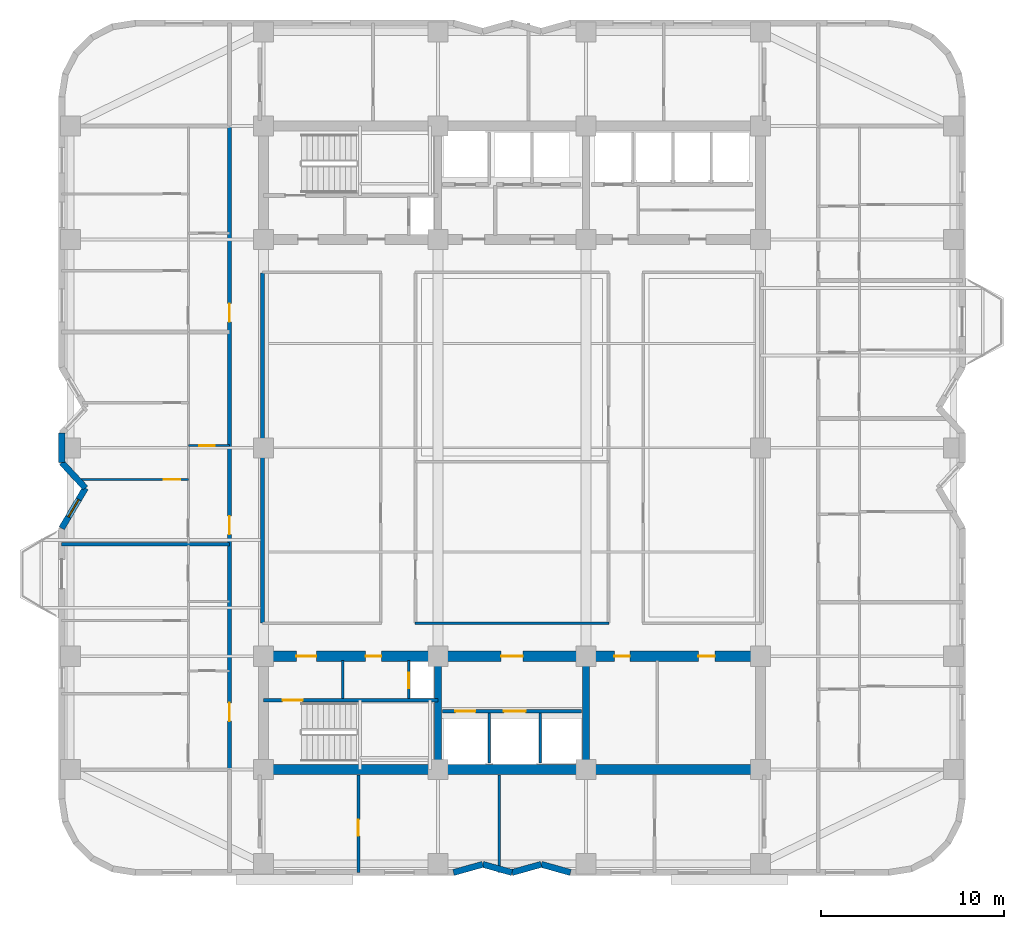
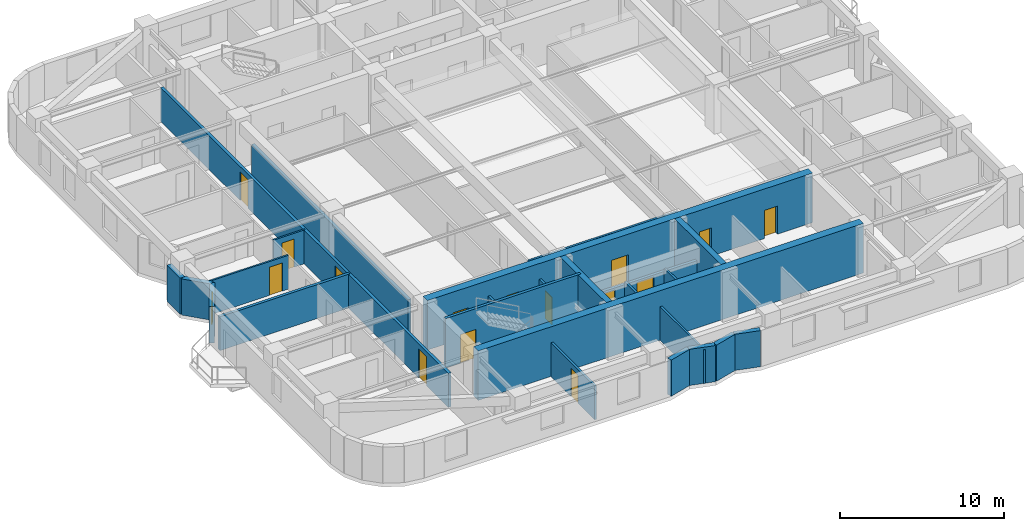
# One storey, part 3 of 11: 25 walls, 15 doors, 1 window, 16 openings.
"""IFC4 building model written with IfcOpenShell, lengths in metres."""

from ifc_helpers import new_model, si_unit, direction, frame, frame_2d, origin, place, context, subcontext, project, spatial, rectangle, extrude, material, layer, layer_set, type_object, element, fill, save


model = new_model("IFC4")

# Units and contexts
model_context = context("Model", 3, precision=1e-05, world=origin(), true_north=direction((0.0, 1.0)))
body_context = subcontext(model_context, "Body", "Model", "MODEL_VIEW")
ifc_project = project(units=[si_unit("LENGTHUNIT", "METRE"), si_unit("AREAUNIT", "SQUARE_METRE"), si_unit("VOLUMEUNIT", "CUBIC_METRE"), si_unit("PLANEANGLEUNIT", "RADIAN"), si_unit("MASSUNIT", "GRAM", prefix="KILO")], contexts=[model_context])

# Site, building, storey
site_placement = place(None, origin())
site = spatial("IfcSite", under=ifc_project, at=site_placement, CompositionType="ELEMENT")
building_placement = place(site_placement, origin())
building = spatial("IfcBuilding", under=site, at=building_placement, Name="Svetorya Sky Lyceum", CompositionType="ELEMENT")
storey_placement = place(building_placement, frame((0.0, 0.0, 106.800048828125)))
storey = spatial("IfcBuildingStorey", under=building, at=storey_placement, Name="L26", CompositionType="ELEMENT", Elevation=106.800048828125)

# Walls
ifc_material_1 = material(Name="Concrete C40/50", Category="concrete")
ifc_layer_1 = layer(ifc_material_1, 0.39990234375)
ifc_layer_set_1 = layer_set([ifc_layer_1], Name="Concrete C40/50")
wall_type_1 = type_object("IfcWallType", Name="WL-CORE-400", PredefinedType="SHEAR", material=ifc_layer_set_1)
for number, where, z_axis, x_axis, name in (
    (1, (35.14990234375, 10.875, 0.0), (0.0, 0.0, 1.0), (0.0, 1.0, 0.0), "L26 SC Internal Shear Web WEB1"),
    (2, (43.25, 10.875, 0.0), (0.0, 0.0, 1.0), (0.0, 1.0, 0.0), "L26 SC Internal Shear Web WEB2"),
):
    element("IfcWall", number, at=place(storey_placement, frame(where, z_axis=z_axis, x_axis=x_axis)), inside=storey, type_object=wall_type_1, Name=name, PredefinedType="SHEAR", context=body_context, shape_type="SweptSolid", body=[
        extrude(rectangle(XDim=5.64990234375, YDim=0.39990234375, at=frame_2d((2.824951171875, 0.0))), origin(), (0.0, 0.0, 1.0), 3.699951171875),
    ])
ifc_material_2 = material(Name="Concrete C60/75", Category="concrete")
ifc_layer_2 = layer(ifc_material_2, 0.550048828125)
ifc_layer_set_2 = layer_set([ifc_layer_2], Name="Concrete C60/75")
wall_type_2 = type_object("IfcWallType", Name="WL-CORE-550", PredefinedType="SHEAR", material=ifc_layer_set_2)
wall_1_placement = place(storey_placement, frame((52.800048828125, 10.60009765625, 0.0), z_axis=(0.0, 0.0, 1.0), x_axis=(-1.0, 0.0, 0.0)))
element("IfcWall", 3, at=wall_1_placement, inside=storey, type_object=wall_type_2, Name="L26 SC Outer Core Shear Wall", PredefinedType="SHEAR", context=body_context, shape_type="SweptSolid", body=[
    extrude(rectangle(XDim=27.199951171875, YDim=0.550048828125, at=frame_2d((13.60009765625, 0.0))), origin(), (0.0, 0.0, 1.0), 3.699951171875),
])

# Wall, openings, doors
wall_2_placement = place(storey_placement, frame((25.60009765625, 16.800048828125, 0.0), z_axis=(0.0, 0.0, 1.0), x_axis=(1.0, 0.0, 0.0)))
wall_2 = element("IfcWall", 4, at=wall_2_placement, inside=storey, type_object=wall_type_2, Name="L26 SC Inner Core Shear Wall", PredefinedType="SHEAR", context=body_context, shape_type="SweptSolid", body=[
    extrude(rectangle(XDim=27.199951171875, YDim=0.550048828125, at=frame_2d((13.60009765625, 0.0))), origin(), (0.0, 0.0, 1.0), 3.699951171875),
])
opening_1_placement = place(wall_2_placement, frame((1.800048828125, 0.0, 0.0)))
opening_1 = element("IfcOpeningElement", 5, at=opening_1_placement, cuts=wall_2, Name="Opening D-ST1", PredefinedType="OPENING", context=body_context, shape_type="SweptSolid", body=[
    extrude(rectangle(XDim=1.10009765625, YDim=2.14990234375, at=frame_2d((0.550048828125, 1.074951171875))), frame((0.0, 0.284912109375, 0.0), z_axis=(0.0, -1.0, 0.0), x_axis=(1.0, 0.0, 0.0)), (0.0, 0.0, 1.0), 0.570068359375),
])
opening_2_placement = place(wall_2_placement, frame((5.60009765625, 0.0, 0.0)))
opening_2 = element("IfcOpeningElement", 6, at=opening_2_placement, cuts=wall_2, Name="Opening D-CWC1", PredefinedType="OPENING", context=body_context, shape_type="SweptSolid", body=[
    extrude(rectangle(XDim=0.85009765625, YDim=2.10009765625, at=frame_2d((0.425048828125, 1.050048828125))), frame((0.0, 0.284912109375, 0.0), z_axis=(0.0, -1.0, 0.0), x_axis=(1.0, 0.0, 0.0)), (0.0, 0.0, 1.0), 0.570068359375),
])
opening_3_placement = place(wall_2_placement, frame((13.0, 0.0, 0.0)))
opening_3 = element("IfcOpeningElement", 7, at=opening_3_placement, cuts=wall_2, Name="Opening D-FL1", PredefinedType="OPENING", context=body_context, shape_type="SweptSolid", body=[
    extrude(rectangle(XDim=1.199951171875, YDim=2.14990234375, at=frame_2d((0.60009765625, 1.074951171875))), frame((0.0, 0.284912109375, 0.0), z_axis=(0.0, -1.0, 0.0), x_axis=(1.0, 0.0, 0.0)), (0.0, 0.0, 1.0), 0.570068359375),
])
opening_4_placement = place(wall_2_placement, frame((19.199951171875, 0.0, 0.0)))
opening_4 = element("IfcOpeningElement", 8, at=opening_4_placement, cuts=wall_2, Name="Opening D-CWC1", PredefinedType="OPENING", context=body_context, shape_type="SweptSolid", body=[
    extrude(rectangle(XDim=0.85009765625, YDim=2.10009765625, at=frame_2d((0.425048828125, 1.050048828125))), frame((0.0, 0.284912109375, 0.0), z_axis=(0.0, -1.0, 0.0), x_axis=(1.0, 0.0, 0.0)), (0.0, 0.0, 1.0), 0.570068359375),
])
opening_5_placement = place(wall_2_placement, frame((23.800048828125, 0.0, 0.0)))
opening_5 = element("IfcOpeningElement", 9, at=opening_5_placement, cuts=wall_2, Name="Opening D-RM1", PredefinedType="OPENING", context=body_context, shape_type="SweptSolid", body=[
    extrude(rectangle(XDim=0.89990234375, YDim=2.10009765625, at=frame_2d((0.449951171875, 1.050048828125))), frame((0.0, 0.284912109375, 0.0), z_axis=(0.0, -1.0, 0.0), x_axis=(1.0, 0.0, 0.0)), (0.0, 0.0, 1.0), 0.570068359375),
])
ifc_material_3 = material(Name="Fire-rated galvanized steel core service closet door", Category="steel")
door_type_1 = type_object("IfcDoorType", Name="DR-CWET-850", OperationType="SINGLE_SWING_LEFT", PredefinedType="DOOR", material=ifc_material_3)
door_1_placement = place(opening_2_placement, origin())
door_1 = element("IfcDoor", 10, at=door_1_placement, inside=storey, type_object=door_type_1, Name="L26 South Hydrant Room Door", OperationType="SINGLE_SWING_LEFT", OverallHeight=2.10009765625, OverallWidth=0.85009765625, PredefinedType="DOOR", context=body_context, shape_type="SweptSolid", body=[
    extrude(rectangle(XDim=0.85009765625, YDim=2.10009765625, at=frame_2d((0.425048828125, 1.050048828125))), frame((0.0, 0.02490234375, 0.0), z_axis=(0.0, -1.0, 0.0), x_axis=(1.0, 0.0, 0.0)), (0.0, 0.0, 1.0), 0.050048828125),
])
fill(opening_2, door_1)
door_2_placement = place(opening_4_placement, origin())
door_2 = element("IfcDoor", 11, at=door_2_placement, inside=storey, type_object=door_type_1, Name="L26 Laundry Door", OperationType="SINGLE_SWING_RIGHT", OverallHeight=2.10009765625, OverallWidth=0.85009765625, PredefinedType="DOOR", context=body_context, shape_type="SweptSolid", body=[
    extrude(rectangle(XDim=0.85009765625, YDim=2.10009765625, at=frame_2d((0.425048828125, 1.050048828125))), frame((0.0, 0.02490234375, 0.0), z_axis=(0.0, -1.0, 0.0), x_axis=(1.0, 0.0, 0.0)), (0.0, 0.0, 1.0), 0.050048828125),
])
fill(opening_4, door_2)
ifc_material_4 = material(Name="Powder-coated insulated galvanized stair fire door")
door_type_2 = type_object("IfcDoorType", Name="DR-FIRE-1100", OperationType="SINGLE_SWING_LEFT", PredefinedType="DOOR", material=ifc_material_4)
door_3_placement = place(opening_1_placement, origin())
door_3 = element("IfcDoor", 12, at=door_3_placement, inside=storey, type_object=door_type_2, Name="L26 South Stair Airlock Door", OperationType="SINGLE_SWING_RIGHT", OverallHeight=2.14990234375, OverallWidth=1.10009765625, PredefinedType="DOOR", context=body_context, shape_type="SweptSolid", body=[
    extrude(rectangle(XDim=1.10009765625, YDim=2.14990234375, at=frame_2d((0.550048828125, 1.074951171875))), frame((0.0, 0.02490234375, 0.0), z_axis=(0.0, -1.0, 0.0), x_axis=(1.0, 0.0, 0.0)), (0.0, 0.0, 1.0), 0.050048828125),
])
fill(opening_1, door_3)
ifc_material_5 = material(Name="Powder-coated insulated galvanized fire door")
door_type_3 = type_object("IfcDoorType", Name="DR-FIRE-1200", OperationType="SINGLE_SWING_LEFT", PredefinedType="DOOR", material=ifc_material_5)
door_4_placement = place(opening_3_placement, origin())
door_4 = element("IfcDoor", 13, at=door_4_placement, inside=storey, type_object=door_type_3, Name="L26 South Firefighting Lift Lobby Door", OperationType="SINGLE_SWING_LEFT", OverallHeight=2.14990234375, OverallWidth=1.199951171875, PredefinedType="DOOR", context=body_context, shape_type="SweptSolid", body=[
    extrude(rectangle(XDim=1.199951171875, YDim=2.14990234375, at=frame_2d((0.60009765625, 1.074951171875))), frame((0.0, 0.02490234375, 0.0), z_axis=(0.0, -1.0, 0.0), x_axis=(1.0, 0.0, 0.0)), (0.0, 0.0, 1.0), 0.050048828125),
])
fill(opening_3, door_4)
ifc_material_6 = material(Name="Lacquered birch veneer internal door")
door_type_4 = type_object("IfcDoorType", Name="DR-INT-900", OperationType="SINGLE_SWING_LEFT", PredefinedType="DOOR", material=ifc_material_6)
door_5_placement = place(opening_5_placement, origin())
door_5 = element("IfcDoor", 14, at=door_5_placement, inside=storey, type_object=door_type_4, Name="L26 Pantry Door", OperationType="SINGLE_SWING_LEFT", OverallHeight=2.10009765625, OverallWidth=0.89990234375, PredefinedType="DOOR", context=body_context, shape_type="SweptSolid", body=[
    extrude(rectangle(XDim=0.89990234375, YDim=2.10009765625, at=frame_2d((0.449951171875, 1.050048828125))), frame((0.0, 0.02490234375, 0.0), z_axis=(0.0, -1.0, 0.0), x_axis=(1.0, 0.0, 0.0)), (0.0, 0.0, 1.0), 0.050048828125),
])
fill(opening_5, door_5)

# Walls
ifc_material_7 = material(Name="Putilovo limestone rainscreen on autoclaved cellular masonry", Category="masonry")
ifc_layer_3 = layer(ifc_material_7, 0.340087890625)
ifc_layer_set_3 = layer_set([ifc_layer_3], Name="Putilovo limestone rainscreen on autoclaved cellular masonry")
wall_type_3 = type_object("IfcWallType", Name="WL-EXT-340", PredefinedType="SOLIDWALL", material=ifc_layer_set_3)
wall_3_placement = place(storey_placement, frame((36.0, 4.969970703125, 0.0), z_axis=(0.0, 0.0, 1.0), x_axis=(0.962662902433, 0.270703040766, 0.0)))
element("IfcWall", 15, at=wall_3_placement, inside=storey, type_object=wall_type_3, Name="L26 Limestone Exterior Wall 7M", PredefinedType="SOLIDWALL", context=body_context, shape_type="SweptSolid", body=[
    extrude(rectangle(XDim=1.662109375, YDim=0.340087890625, at=frame_2d((0.8310546875, 0.0))), origin(), (0.0, 0.0, 1.0), 2.699951171875),
])
wall_4_placement = place(storey_placement, frame((37.60009765625, 5.419921875, 0.0), z_axis=(0.0, 0.0, 1.0), x_axis=(0.962652136636, -0.270741322725, 0.0)))
element("IfcWall", 16, at=wall_4_placement, inside=storey, type_object=wall_type_3, Name="L26 Limestone Exterior Wall 8M", PredefinedType="SOLIDWALL", context=body_context, shape_type="SweptSolid", body=[
    extrude(rectangle(XDim=1.661865234375, YDim=0.340087890625, at=frame_2d((0.8310546875, 0.0))), origin(), (0.0, 0.0, 1.0), 2.699951171875),
])
wall_5_placement = place(storey_placement, frame((39.199951171875, 4.969970703125, 0.0), z_axis=(0.0, 0.0, 1.0), x_axis=(0.962662902433, 0.270703040766, 0.0)))
element("IfcWall", 17, at=wall_5_placement, inside=storey, type_object=wall_type_3, Name="L26 Limestone Exterior Wall 9M", PredefinedType="SOLIDWALL", context=body_context, shape_type="SweptSolid", body=[
    extrude(rectangle(XDim=1.662109375, YDim=0.340087890625, at=frame_2d((0.8310546875, 0.0))), origin(), (0.0, 0.0, 1.0), 2.699951171875),
])
wall_6_placement = place(storey_placement, frame((40.800048828125, 5.419921875, 0.0), z_axis=(0.0, 0.0, 1.0), x_axis=(0.962652136636, -0.270741322725, 0.0)))
element("IfcWall", 18, at=wall_6_placement, inside=storey, type_object=wall_type_3, Name="L26 Limestone Exterior Wall 10M", PredefinedType="SOLIDWALL", context=body_context, shape_type="SweptSolid", body=[
    extrude(rectangle(XDim=1.661865234375, YDim=0.340087890625, at=frame_2d((0.8310546875, 0.0))), origin(), (0.0, 0.0, 1.0), 2.699951171875),
])
wall_7_placement = place(storey_placement, frame((14.570068359375, 29.0, 0.0), z_axis=(0.0, 0.0, 1.0), x_axis=(0.0, -1.0, 0.0)))
element("IfcWall", 19, at=wall_7_placement, inside=storey, type_object=wall_type_3, Name="L26 Limestone Exterior Wall 43M", PredefinedType="SOLIDWALL", context=body_context, shape_type="SweptSolid", body=[
    extrude(rectangle(XDim=1.60009765625, YDim=0.340087890625, at=frame_2d((0.800048828125, 0.0))), origin(), (0.0, 0.0, 1.0), 2.699951171875),
])
wall_8_placement = place(storey_placement, frame((14.570068359375, 27.39990234375, 0.0), z_axis=(0.0, 0.0, 1.0), x_axis=(0.68049031116, -0.732757078722, 0.0)))
element("IfcWall", 20, at=wall_8_placement, inside=storey, type_object=wall_type_3, Name="L26 Limestone Exterior Wall 44M", PredefinedType="SOLIDWALL", context=body_context, shape_type="SweptSolid", body=[
    extrude(rectangle(XDim=1.910400390625, YDim=0.340087890625, at=frame_2d((0.955078125, 0.0))), origin(), (0.0, 0.0, 1.0), 2.699951171875),
])

# Wall, opening, window
wall_9_placement = place(storey_placement, frame((15.8701171875, 26.0, 0.0), z_axis=(0.0, 0.0, 1.0), x_axis=(-0.508751843651, -0.860913213734, 0.0)))
wall_9 = element("IfcWall", 21, at=wall_9_placement, inside=storey, type_object=wall_type_3, Name="L26 Limestone Exterior Wall 45M", PredefinedType="SOLIDWALL", context=body_context, shape_type="SweptSolid", body=[
    extrude(rectangle(XDim=2.555419921875, YDim=0.340087890625, at=frame_2d((1.27783203125, 0.0))), origin(), (0.0, 0.0, 1.0), 2.699951171875),
])
opening_6_placement = place(wall_9_placement, frame((0.727783203125, 0.0, 0.889892578125)))
opening_6 = element("IfcOpeningElement", 22, at=opening_6_placement, cuts=wall_9, Name="Opening W-R3", PredefinedType="OPENING", context=body_context, shape_type="SweptSolid", body=[
    extrude(rectangle(XDim=1.10009765625, YDim=1.64990234375, at=frame_2d((0.550048828125, 0.824951171875))), frame((0.0, 0.179931640625, 0.0), z_axis=(0.0, -1.0, 0.0), x_axis=(1.0, 0.0, 0.0)), (0.0, 0.0, 1.0), 0.360107421875),
])
ifc_material_8 = material(Name="Thermally broken aluminium frame with triple low-E glazing", Category="aluminium")
window_type = type_object("IfcWindowType", Name="WN-RES-110", PartitioningType="SINGLE_PANEL", PredefinedType="WINDOW", material=ifc_material_8)
window_placement = place(opening_6_placement, origin())
window = element("IfcWindow", 23, at=window_placement, inside=storey, type_object=window_type, Name="L26 Facade Window W-R3.45M.1", OverallHeight=1.64990234375, OverallWidth=1.10009765625, PartitioningType="SINGLE_PANEL", PredefinedType="WINDOW", context=body_context, shape_type="SweptSolid", body=[
    extrude(rectangle(XDim=1.10009765625, YDim=1.64990234375, at=frame_2d((0.550048828125, 0.824951171875))), frame((0.0, 0.030029296875, 0.0), z_axis=(0.0, -1.0, 0.0), x_axis=(1.0, 0.0, 0.0)), (0.0, 0.0, 1.0), 0.06005859375),
])
fill(opening_6, window)

# Wall, opening, door
ifc_material_9 = material(Name="Twin-stud galvanized framing with double fireboard", Category="gypsum")
ifc_layer_4 = layer(ifc_material_9, 0.1201171875)
ifc_layer_set_4 = layer_set([ifc_layer_4], Name="Twin-stud galvanized framing with double fireboard")
wall_type_4 = type_object("IfcWallType", Name="WL-PART-120", PredefinedType="PARTITIONING", material=ifc_layer_set_4)
wall_10_placement = place(storey_placement, frame((21.5, 28.320068359375, 0.0), z_axis=(0.0, 0.0, 1.0), x_axis=(1.0, 0.0, 0.0)))
wall_10 = element("IfcWall", 24, at=wall_10_placement, inside=storey, type_object=wall_type_4, Name="L26 Interior Partition W2-WH1", PredefinedType="PARTITIONING", context=body_context, shape_type="SweptSolid", body=[
    extrude(rectangle(XDim=2.25, YDim=0.1201171875, at=frame_2d((1.125, 0.0))), origin(), (0.0, 0.0, 1.0), 2.530029296875),
])
opening_7_placement = place(wall_10_placement, frame((0.60009765625, 0.0, 0.0)))
opening_7 = element("IfcOpeningElement", 25, at=opening_7_placement, cuts=wall_10, Name="Opening D-BT1", PredefinedType="OPENING", context=body_context, shape_type="SweptSolid", body=[
    extrude(rectangle(XDim=0.85009765625, YDim=2.10009765625, at=frame_2d((0.425048828125, 1.050048828125))), frame((0.0, 0.070068359375, 0.0), z_axis=(0.0, -1.0, 0.0), x_axis=(1.0, 0.0, 0.0)), (0.0, 0.0, 1.0), 0.14013671875),
])
ifc_material_10 = material(Name="Moisture-resistant laminate bathroom door")
door_type_5 = type_object("IfcDoorType", Name="DR-WET-850", OperationType="SINGLE_SWING_LEFT", PredefinedType="DOOR", material=ifc_material_10)
door_6_placement = place(opening_7_placement, origin())
door_6 = element("IfcDoor", 26, at=door_6_placement, inside=storey, type_object=door_type_5, Name="Apartment W2 Bathroom Door", OperationType="SINGLE_SWING_RIGHT", OverallHeight=2.10009765625, OverallWidth=0.85009765625, PredefinedType="DOOR", context=body_context, shape_type="SweptSolid", body=[
    extrude(rectangle(XDim=0.85009765625, YDim=2.10009765625, at=frame_2d((0.425048828125, 1.050048828125))), frame((0.0, 0.02490234375, 0.0), z_axis=(0.0, -1.0, 0.0), x_axis=(1.0, 0.0, 0.0)), (0.0, 0.0, 1.0), 0.050048828125),
])
fill(opening_7, door_6)

wall_11_placement = place(storey_placement, frame((15.43359375, 26.469970703125, 0.0), z_axis=(0.0, 0.0, 1.0), x_axis=(1.0, 0.0, 0.0)))
wall_11 = element("IfcWall", 27, at=wall_11_placement, inside=storey, type_object=wall_type_4, Name="L26 Interior Partition W2-WL1", PredefinedType="PARTITIONING", context=body_context, shape_type="SweptSolid", body=[
    extrude(rectangle(XDim=6.06640625, YDim=0.1201171875, at=frame_2d((3.033203125, 0.0))), origin(), (0.0, 0.0, 1.0), 2.530029296875),
])
opening_8_placement = place(wall_11_placement, frame((4.71630859375, 0.0, 0.0)))
opening_8 = element("IfcOpeningElement", 28, at=opening_8_placement, cuts=wall_11, Name="Opening D-RM1", PredefinedType="OPENING", context=body_context, shape_type="SweptSolid", body=[
    extrude(rectangle(XDim=0.89990234375, YDim=2.10009765625, at=frame_2d((0.449951171875, 1.050048828125))), frame((0.0, 0.070068359375, 0.0), z_axis=(0.0, -1.0, 0.0), x_axis=(1.0, 0.0, 0.0)), (0.0, 0.0, 1.0), 0.14013671875),
])
door_7_placement = place(opening_8_placement, origin())
door_7 = element("IfcDoor", 29, at=door_7_placement, inside=storey, type_object=door_type_4, Name="Apartment W2 Master Bedroom Door", OperationType="SINGLE_SWING_RIGHT", OverallHeight=2.10009765625, OverallWidth=0.89990234375, PredefinedType="DOOR", context=body_context, shape_type="SweptSolid", body=[
    extrude(rectangle(XDim=0.89990234375, YDim=2.10009765625, at=frame_2d((0.449951171875, 1.050048828125))), frame((0.0, 0.02490234375, 0.0), z_axis=(0.0, -1.0, 0.0), x_axis=(1.0, 0.0, 0.0)), (0.0, 0.0, 1.0), 0.050048828125),
])
fill(opening_8, door_7)

# Wall
ifc_material_11 = material(Name="Autoclaved cellular masonry blockwork with acoustic render", Category="masonry")
ifc_layer_5 = layer(ifc_material_11, 0.14990234375)
ifc_layer_set_5 = layer_set([ifc_layer_5], Name="Autoclaved cellular masonry blockwork with acoustic render")
wall_type_5 = type_object("IfcWallType", Name="WL-PART-150", PredefinedType="PARTITIONING", material=ifc_layer_set_5)
wall_12_placement = place(storey_placement, frame((29.949951171875, 14.5, 0.0), z_axis=(0.0, 0.0, 1.0), x_axis=(0.0, 1.0, 0.0)))
element("IfcWall", 30, at=wall_12_placement, inside=storey, type_object=wall_type_5, Name="L26 Interior Partition SC-SWD1", PredefinedType="PARTITIONING", context=body_context, shape_type="SweptSolid", body=[
    extrude(rectangle(XDim=2.080078125, YDim=0.14990234375, at=frame_2d((1.0400390625, 0.0))), origin(), (0.0, 0.0, 1.0), 2.530029296875),
])

# Wall, opening, door
wall_13_placement = place(storey_placement, frame((33.550048828125, 14.5, 0.0), z_axis=(0.0, 0.0, 1.0), x_axis=(0.0, 1.0, 0.0)))
wall_13 = element("IfcWall", 31, at=wall_13_placement, inside=storey, type_object=wall_type_5, Name="L26 Interior Partition SC-SWD2", PredefinedType="PARTITIONING", context=body_context, shape_type="SweptSolid", body=[
    extrude(rectangle(XDim=2.080078125, YDim=0.14990234375, at=frame_2d((1.0400390625, 0.0))), origin(), (0.0, 0.0, 1.0), 2.530029296875),
])
opening_9_placement = place(wall_13_placement, frame((0.550048828125, 0.0, 0.0)))
opening_9 = element("IfcOpeningElement", 32, at=opening_9_placement, cuts=wall_13, Name="Opening D-SH1", PredefinedType="OPENING", context=body_context, shape_type="SweptSolid", body=[
    extrude(rectangle(XDim=0.85009765625, YDim=2.050048828125, at=frame_2d((0.425048828125, 1.02490234375))), frame((0.0, 0.0849609375, 0.0), z_axis=(0.0, -1.0, 0.0), x_axis=(1.0, 0.0, 0.0)), (0.0, 0.0, 1.0), 0.169921875),
])
ifc_material_12 = material(Name="Insulated galvanized riser inspection fire door")
door_type_6 = type_object("IfcDoorType", Name="DR-SHFT-850", OperationType="SINGLE_SWING_LEFT", PredefinedType="TRAPDOOR", material=ifc_material_12)
door_8_placement = place(opening_9_placement, origin())
door_8 = element("IfcDoor", 33, at=door_8_placement, inside=storey, type_object=door_type_6, Name="L26 South Riser Access Door", OperationType="SINGLE_SWING_RIGHT", OverallHeight=2.050048828125, OverallWidth=0.85009765625, PredefinedType="TRAPDOOR", context=body_context, shape_type="SweptSolid", body=[
    extrude(rectangle(XDim=0.85009765625, YDim=2.050048828125, at=frame_2d((0.425048828125, 1.02490234375))), frame((0.0, 0.02490234375, 0.0), z_axis=(0.0, -1.0, 0.0), x_axis=(1.0, 0.0, 0.0)), (0.0, 0.0, 1.0), 0.050048828125),
])
fill(opening_9, door_8)

# Walls
for number, where, z_axis, x_axis, name in (
    (34, (37.949951171875, 10.949951171875, 0.0), (0.0, 0.0, 1.0), (0.0, 1.0, 0.0), "L26 Interior Partition SC-SHD1"),
    (35, (40.75, 10.949951171875, 0.0), (0.0, 0.0, 1.0), (0.0, 1.0, 0.0), "L26 Interior Partition SC-SHD2"),
):
    element("IfcWall", number, at=place(storey_placement, frame(where, z_axis=z_axis, x_axis=x_axis)), inside=storey, type_object=wall_type_5, Name=name, PredefinedType="PARTITIONING", context=body_context, shape_type="SweptSolid", body=[
        extrude(rectangle(XDim=2.75, YDim=0.14990234375, at=frame_2d((1.375, 0.0))), origin(), (0.0, 0.0, 1.0), 2.530029296875),
    ])
wall_14_placement = place(storey_placement, frame((33.89990234375, 18.60009765625, 0.0), z_axis=(0.0, 0.0, 1.0), x_axis=(1.0, 0.0, 0.0)))
element("IfcWall", 36, at=wall_14_placement, inside=storey, type_object=wall_type_5, Name="L26 Interior Partition RL-CS-M", PredefinedType="PARTITIONING", context=body_context, shape_type="SweptSolid", body=[
    extrude(rectangle(XDim=10.60009765625, YDim=0.14990234375, at=frame_2d((5.300048828125, 0.0))), origin(), (0.0, 0.0, 1.0), 2.530029296875),
])

# Wall, opening, door
wall_15_placement = place(storey_placement, frame((30.800048828125, 4.969970703125, 0.0), z_axis=(0.0, 0.0, 1.0), x_axis=(0.0, 1.0, 0.0)))
wall_15 = element("IfcWall", 37, at=wall_15_placement, inside=storey, type_object=wall_type_5, Name="L26 Interior Partition S4-D1", PredefinedType="PARTITIONING", context=body_context, shape_type="SweptSolid", body=[
    extrude(rectangle(XDim=5.330078125, YDim=0.14990234375, at=frame_2d((2.6650390625, 0.0))), origin(), (0.0, 0.0, 1.0), 2.530029296875),
])
opening_10_placement = place(wall_15_placement, frame((2.0, 0.0, 0.0)))
opening_10 = element("IfcOpeningElement", 38, at=opening_10_placement, cuts=wall_15, Name="Opening D-RM1", PredefinedType="OPENING", context=body_context, shape_type="SweptSolid", body=[
    extrude(rectangle(XDim=0.89990234375, YDim=2.10009765625, at=frame_2d((0.449951171875, 1.050048828125))), frame((0.0, 0.0849609375, 0.0), z_axis=(0.0, -1.0, 0.0), x_axis=(1.0, 0.0, 0.0)), (0.0, 0.0, 1.0), 0.169921875),
])
door_9_placement = place(opening_10_placement, origin())
door_9 = element("IfcDoor", 39, at=door_9_placement, inside=storey, type_object=door_type_4, Name="L26 South Suite Door 1", OperationType="SINGLE_SWING_LEFT", OverallHeight=2.10009765625, OverallWidth=0.89990234375, PredefinedType="DOOR", context=body_context, shape_type="SweptSolid", body=[
    extrude(rectangle(XDim=0.89990234375, YDim=2.10009765625, at=frame_2d((0.449951171875, 1.050048828125))), frame((0.0, 0.02490234375, 0.0), z_axis=(0.0, -1.0, 0.0), x_axis=(1.0, 0.0, 0.0)), (0.0, 0.0, 1.0), 0.050048828125),
])
fill(opening_10, door_9)

# Wall
wall_16_placement = place(storey_placement, frame((38.5, 4.969970703125, 0.0), z_axis=(0.0, 0.0, 1.0), x_axis=(0.0, 1.0, 0.0)))
element("IfcWall", 40, at=wall_16_placement, inside=storey, type_object=wall_type_5, Name="L26 Interior Partition S4-D2", PredefinedType="PARTITIONING", context=body_context, shape_type="SweptSolid", body=[
    extrude(rectangle(XDim=5.330078125, YDim=0.14990234375, at=frame_2d((2.6650390625, 0.0))), origin(), (0.0, 0.0, 1.0), 2.530029296875),
])

# Wall, openings, doors
ifc_material_13 = material(Name="Autoclaved cellular masonry blockwork with gypsum plaster", Category="masonry")
ifc_layer_6 = layer(ifc_material_13, 0.199951171875)
ifc_layer_set_6 = layer_set([ifc_layer_6], Name="Autoclaved cellular masonry blockwork with gypsum plaster")
wall_type_6 = type_object("IfcWallType", Name="WL-PART-200", PredefinedType="PARTITIONING", material=ifc_layer_set_6)
wall_17_placement = place(storey_placement, frame((35.39990234375, 13.800048828125, 0.0), z_axis=(0.0, 0.0, 1.0), x_axis=(1.0, 0.0, 0.0)))
wall_17 = element("IfcWall", 41, at=wall_17_placement, inside=storey, type_object=wall_type_6, Name="L26 Interior Partition SC-FLW", PredefinedType="PARTITIONING", context=body_context, shape_type="SweptSolid", body=[
    extrude(rectangle(XDim=7.60009765625, YDim=0.199951171875, at=frame_2d((3.800048828125, 0.0))), origin(), (0.0, 0.0, 1.0), 2.300048828125),
])
opening_11_placement = place(wall_17_placement, frame((0.699951171875, 0.0, 0.0)))
opening_11 = element("IfcOpeningElement", 42, at=opening_11_placement, cuts=wall_17, Name="Opening LD-FL", PredefinedType="OPENING", context=body_context, shape_type="SweptSolid", body=[
    extrude(rectangle(XDim=1.10009765625, YDim=2.14990234375, at=frame_2d((0.550048828125, 1.074951171875))), frame((0.0, 0.10986328125, 0.0), z_axis=(0.0, -1.0, 0.0), x_axis=(1.0, 0.0, 0.0)), (0.0, 0.0, 1.0), 0.219970703125),
])
opening_12_placement = place(wall_17_placement, frame((3.35009765625, 0.0, 0.0)))
opening_12 = element("IfcOpeningElement", 43, at=opening_12_placement, cuts=wall_17, Name="Opening LD-SV", PredefinedType="OPENING", context=body_context, shape_type="SweptSolid", body=[
    extrude(rectangle(XDim=1.199951171875, YDim=2.14990234375, at=frame_2d((0.60009765625, 1.074951171875))), frame((0.0, 0.10986328125, 0.0), z_axis=(0.0, -1.0, 0.0), x_axis=(1.0, 0.0, 0.0)), (0.0, 0.0, 1.0), 0.219970703125),
])
ifc_material_14 = material(Name="Fire-rated stainless AISI 304 firefighting lift landing door")
door_type_7 = type_object("IfcDoorType", Name="DR-LIFT-1100", OperationType="SLIDING_TO_LEFT", PredefinedType="DOOR", material=ifc_material_14)
door_10_placement = place(opening_11_placement, origin())
door_10 = element("IfcDoor", 44, at=door_10_placement, inside=storey, type_object=door_type_7, Name="L26 Firefighting Lift FL2 Landing Door", OperationType="SLIDING_TO_LEFT", OverallHeight=2.14990234375, OverallWidth=1.10009765625, PredefinedType="DOOR", context=body_context, shape_type="SweptSolid", body=[
    extrude(rectangle(XDim=1.10009765625, YDim=2.14990234375, at=frame_2d((0.550048828125, 1.074951171875))), frame((0.0, 0.02490234375, 0.0), z_axis=(0.0, -1.0, 0.0), x_axis=(1.0, 0.0, 0.0)), (0.0, 0.0, 1.0), 0.050048828125),
])
fill(opening_11, door_10)
ifc_material_15 = material(Name="Brushed stainless AISI 304 telescopic lift landing door")
door_type_8 = type_object("IfcDoorType", Name="DR-LIFT-1200", OperationType="SLIDING_TO_LEFT", PredefinedType="DOOR", material=ifc_material_15)
door_11_placement = place(opening_12_placement, origin())
door_11 = element("IfcDoor", 45, at=door_11_placement, inside=storey, type_object=door_type_8, Name="L26 Service Lift SVL1 Landing Door", OperationType="SLIDING_TO_LEFT", OverallHeight=2.14990234375, OverallWidth=1.199951171875, PredefinedType="DOOR", context=body_context, shape_type="SweptSolid", body=[
    extrude(rectangle(XDim=1.199951171875, YDim=2.14990234375, at=frame_2d((0.60009765625, 1.074951171875))), frame((0.0, 0.02490234375, 0.0), z_axis=(0.0, -1.0, 0.0), x_axis=(1.0, 0.0, 0.0)), (0.0, 0.0, 1.0), 0.050048828125),
])
fill(opening_12, door_11)

# Walls
wall_18_placement = place(storey_placement, frame((25.550048828125, 18.6298828125, 0.0), z_axis=(0.0, 0.0, 1.0), x_axis=(0.0, 1.0, 0.0)))
element("IfcWall", 46, at=wall_18_placement, inside=storey, type_object=wall_type_6, Name="L26 Interior Partition W-CEN-SEP", PredefinedType="PARTITIONING", context=body_context, shape_type="SweptSolid", body=[
    extrude(rectangle(XDim=19.14013671875, YDim=0.199951171875, at=frame_2d((9.570068359375, 0.0))), origin(), (0.0, 0.0, 1.0), 2.530029296875),
])
wall_19_placement = place(storey_placement, frame((14.570068359375, 22.919921875, 0.0), z_axis=(0.0, 0.0, 1.0), x_axis=(1.0, 0.0, 0.0)))
element("IfcWall", 47, at=wall_19_placement, inside=storey, type_object=wall_type_6, Name="L26 Interior Partition W-PARTY-1", PredefinedType="PARTITIONING", context=body_context, shape_type="SweptSolid", body=[
    extrude(rectangle(XDim=9.179931640625, YDim=0.199951171875, at=frame_2d((4.58984375, 0.0))), origin(), (0.0, 0.0, 1.0), 2.530029296875),
])

# Wall, openings, doors
wall_20_placement = place(storey_placement, frame((23.75, 10.60009765625, 0.0), z_axis=(0.0, 0.0, 1.0), x_axis=(0.0, 1.0, 0.0)))
wall_20 = element("IfcWall", 48, at=wall_20_placement, inside=storey, type_object=wall_type_6, Name="L26 Interior Partition W-CORRW", PredefinedType="PARTITIONING", context=body_context, shape_type="SweptSolid", body=[
    extrude(rectangle(XDim=35.199951171875, YDim=0.199951171875, at=frame_2d((17.60009765625, 0.0))), origin(), (0.0, 0.0, 1.0), 2.530029296875),
])
opening_13_placement = place(wall_20_placement, frame((2.64990234375, 0.0, 0.0)))
opening_13 = element("IfcOpeningElement", 49, at=opening_13_placement, cuts=wall_20, Name="Opening D-APT1", PredefinedType="OPENING", context=body_context, shape_type="SweptSolid", body=[
    extrude(rectangle(XDim=1.0, YDim=2.14990234375, at=frame_2d((0.5, 1.074951171875))), frame((0.0, 0.10986328125, 0.0), z_axis=(0.0, -1.0, 0.0), x_axis=(1.0, 0.0, 0.0)), (0.0, 0.0, 1.0), 0.219970703125),
])
opening_14_placement = place(wall_20_placement, frame((12.8701171875, 0.0, 0.0)))
opening_14 = element("IfcOpeningElement", 50, at=opening_14_placement, cuts=wall_20, Name="Opening D-APT1", PredefinedType="OPENING", context=body_context, shape_type="SweptSolid", body=[
    extrude(rectangle(XDim=1.0, YDim=2.14990234375, at=frame_2d((0.5, 1.074951171875))), frame((0.0, 0.10986328125, 0.0), z_axis=(0.0, -1.0, 0.0), x_axis=(1.0, 0.0, 0.0)), (0.0, 0.0, 1.0), 0.219970703125),
])
opening_15_placement = place(wall_20_placement, frame((24.486083984375, 0.0, 0.0)))
opening_15 = element("IfcOpeningElement", 51, at=opening_15_placement, cuts=wall_20, Name="Opening D-APT1", PredefinedType="OPENING", context=body_context, shape_type="SweptSolid", body=[
    extrude(rectangle(XDim=1.0, YDim=2.14990234375, at=frame_2d((0.5, 1.074951171875))), frame((0.0, 0.10986328125, 0.0), z_axis=(0.0, -1.0, 0.0), x_axis=(1.0, 0.0, 0.0)), (0.0, 0.0, 1.0), 0.219970703125),
])
ifc_material_16 = material(Name="Insulated oak-veneered apartment entrance door")
door_type_9 = type_object("IfcDoorType", Name="DR-APT-1000", OperationType="SINGLE_SWING_LEFT", PredefinedType="DOOR", material=ifc_material_16)
door_12_placement = place(opening_13_placement, origin())
door_12 = element("IfcDoor", 52, at=door_12_placement, inside=storey, type_object=door_type_9, Name="L26 Apartment W1 Entrance Door", OperationType="SINGLE_SWING_LEFT", OverallHeight=2.14990234375, OverallWidth=1.0, PredefinedType="DOOR", context=body_context, shape_type="SweptSolid", body=[
    extrude(rectangle(XDim=1.0, YDim=2.14990234375, at=frame_2d((0.5, 1.074951171875))), frame((0.0, 0.02490234375, 0.0), z_axis=(0.0, -1.0, 0.0), x_axis=(1.0, 0.0, 0.0)), (0.0, 0.0, 1.0), 0.050048828125),
])
fill(opening_13, door_12)
door_13_placement = place(opening_14_placement, origin())
door_13 = element("IfcDoor", 53, at=door_13_placement, inside=storey, type_object=door_type_9, Name="L26 Apartment W2 Entrance Door", OperationType="SINGLE_SWING_RIGHT", OverallHeight=2.14990234375, OverallWidth=1.0, PredefinedType="DOOR", context=body_context, shape_type="SweptSolid", body=[
    extrude(rectangle(XDim=1.0, YDim=2.14990234375, at=frame_2d((0.5, 1.074951171875))), frame((0.0, 0.02490234375, 0.0), z_axis=(0.0, -1.0, 0.0), x_axis=(1.0, 0.0, 0.0)), (0.0, 0.0, 1.0), 0.050048828125),
])
fill(opening_14, door_13)
door_14_placement = place(opening_15_placement, origin())
door_14 = element("IfcDoor", 54, at=door_14_placement, inside=storey, type_object=door_type_9, Name="L26 Apartment W3 Entrance Door", OperationType="SINGLE_SWING_LEFT", OverallHeight=2.14990234375, OverallWidth=1.0, PredefinedType="DOOR", context=body_context, shape_type="SweptSolid", body=[
    extrude(rectangle(XDim=1.0, YDim=2.14990234375, at=frame_2d((0.5, 1.074951171875))), frame((0.0, 0.02490234375, 0.0), z_axis=(0.0, -1.0, 0.0), x_axis=(1.0, 0.0, 0.0)), (0.0, 0.0, 1.0), 0.050048828125),
])
fill(opening_15, door_14)

# Wall, opening, door
ifc_material_17 = material(Name="Concrete C50/60", Category="concrete")
ifc_layer_7 = layer(ifc_material_17, 0.199951171875)
ifc_layer_set_7 = layer_set([ifc_layer_7], Name="Concrete C50/60")
wall_type_7 = type_object("IfcWallType", Name="WL-SHW-200", PredefinedType="SHEAR", material=ifc_layer_set_7)
wall_21_placement = place(storey_placement, frame((25.60009765625, 14.39990234375, 0.0), z_axis=(0.0, 0.0, 1.0), x_axis=(1.0, 0.0, 0.0)))
wall_21 = element("IfcWall", 55, at=wall_21_placement, inside=storey, type_object=wall_type_7, Name="L26 Structural Stair Shaft Wall SC-STW", PredefinedType="SHEAR", context=body_context, shape_type="SweptSolid", body=[
    extrude(rectangle(XDim=9.5498046875, YDim=0.199951171875, at=frame_2d((4.77490234375, 0.0))), origin(), (0.0, 0.0, 1.0), 3.699951171875),
])
opening_16_placement = place(wall_21_placement, frame((1.050048828125, 0.0, 0.0)))
opening_16 = element("IfcOpeningElement", 56, at=opening_16_placement, cuts=wall_21, Name="Opening D-ST1", PredefinedType="OPENING", context=body_context, shape_type="SweptSolid", body=[
    extrude(rectangle(XDim=1.10009765625, YDim=2.14990234375, at=frame_2d((0.550048828125, 1.074951171875))), frame((0.0, 0.10986328125, 0.0), z_axis=(0.0, -1.0, 0.0), x_axis=(1.0, 0.0, 0.0)), (0.0, 0.0, 1.0), 0.219970703125),
])
door_15_placement = place(opening_16_placement, origin())
door_15 = element("IfcDoor", 57, at=door_15_placement, inside=storey, type_object=door_type_2, Name="L26 Stair ST-S Vestibule Fire Door", OperationType="SINGLE_SWING_LEFT", OverallHeight=2.14990234375, OverallWidth=1.10009765625, PredefinedType="DOOR", context=body_context, shape_type="SweptSolid", body=[
    extrude(rectangle(XDim=1.10009765625, YDim=2.14990234375, at=frame_2d((0.550048828125, 1.074951171875))), frame((0.0, 0.02490234375, 0.0), z_axis=(0.0, -1.0, 0.0), x_axis=(1.0, 0.0, 0.0)), (0.0, 0.0, 1.0), 0.050048828125),
])
fill(opening_16, door_15)

save(model, "model.ifc")
